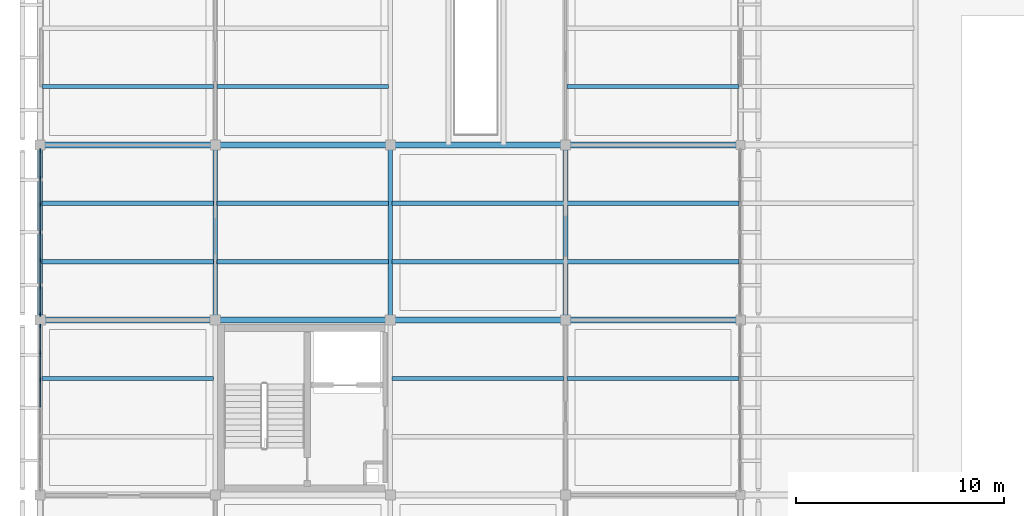
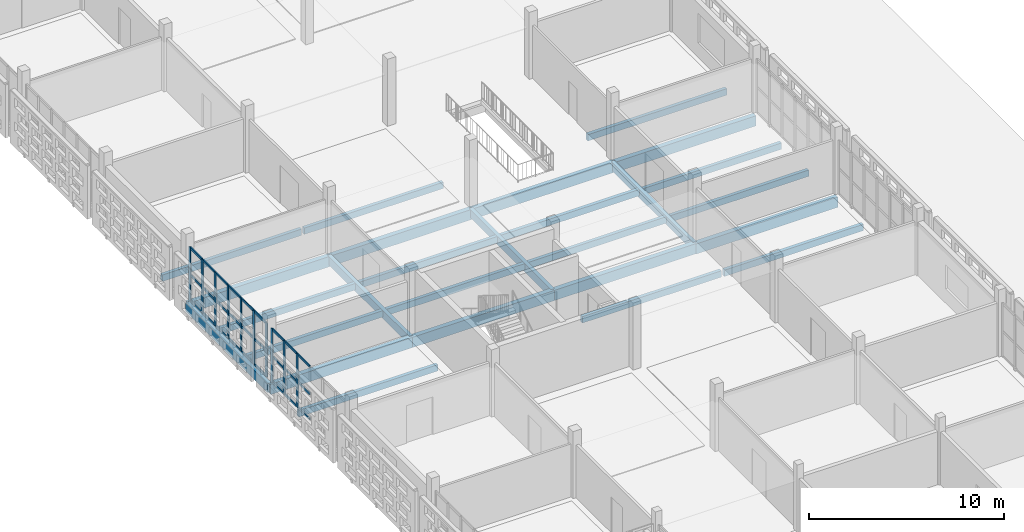
# One storey, part 31 of 166: 37 members, 26 beams, 2 elements without a shape of their own.
"""IFC4 building model written with IfcOpenShell, lengths in metres."""

from ifc_helpers import new_model, si_unit, direction, frame, origin, origin_2d, place, context, subcontext, project, spatial, rectangle, extrude, material, layer, layer_set, material_profile, profile_set, type_object, element, aggregate, save


model = new_model("IFC4")

# Units and contexts
model_context = context("Model", 3, precision=1e-05, world=origin(), true_north=direction((0.0, 1.0)))
body_context = subcontext(model_context, "Body", "Model", "MODEL_VIEW")
ifc_project = project(units=[si_unit("LENGTHUNIT", "METRE"), si_unit("AREAUNIT", "SQUARE_METRE"), si_unit("VOLUMEUNIT", "CUBIC_METRE"), si_unit("PLANEANGLEUNIT", "RADIAN"), si_unit("MASSUNIT", "GRAM", prefix="KILO")], contexts=[model_context])

# Site, building, storey
site_placement = place(None, origin())
site = spatial("IfcSite", under=ifc_project, at=site_placement, CompositionType="ELEMENT")
building_placement = place(site_placement, origin())
building = spatial("IfcBuilding", under=site, at=building_placement, Name="Varnapada Polytechnic", CompositionType="ELEMENT")
storey_placement = place(building_placement, frame((0.0, 0.0, 9.60009765625)))
storey = spatial("IfcBuildingStorey", under=building, at=storey_placement, Name="L02", CompositionType="ELEMENT", Elevation=9.60009765625)

# Beams
ifc_material_1 = material(Name="Glulam GL32h", Category="wood")
ifc_material_profile_1 = material_profile(ifc_material_1, rectangle(XDim=0.280029296875, YDim=0.639892578125, at=origin_2d()), Name="GL 280x640")
ifc_profile_set_1 = profile_set([ifc_material_profile_1], Name="Glulam GL32h")
beam_type_1 = type_object("IfcBeamType", Name="Laboratory primary glulam girder GG-02 (GL 280x640)", PredefinedType="BEAM", material=ifc_profile_set_1)
for number, where, z_axis, x_axis, name in (
    (1, (0.0, 67.199951171875, -0.56005859375), (1.0, 0.0, 0.0), (0.0, 1.0, 0.0), "L02 beam X 1-2 at Y9"),
    (2, (0.0, 75.60009765625, -0.56005859375), (1.0, 0.0, 0.0), (0.0, 1.0, 0.0), "L02 beam X 1-2 at Y10"),
):
    element("IfcBeam", number, at=place(storey_placement, frame(where, z_axis=z_axis, x_axis=x_axis)), inside=storey, type_object=beam_type_1, Name=name, PredefinedType="BEAM", context=body_context, shape_type="SweptSolid", body=[
        extrude(rectangle(XDim=0.280029296875, YDim=0.639892578125, at=origin_2d()), origin(), (0.0, 0.0, 1.0), 8.39990234375),
    ])
for number, where, z_axis, x_axis, name in (
    (3, (8.39990234375, 67.199951171875, -0.56005859375), (1.0, 0.0, 0.0), (0.0, 1.0, 0.0), "L02 beam X 2-3 at Y9"),
    (4, (8.39990234375, 75.60009765625, -0.56005859375), (1.0, 0.0, 0.0), (0.0, 1.0, 0.0), "L02 beam X 2-3 at Y10"),
):
    element("IfcBeam", number, at=place(storey_placement, frame(where, z_axis=z_axis, x_axis=x_axis)), inside=storey, type_object=beam_type_1, Name=name, PredefinedType="BEAM", context=body_context, shape_type="SweptSolid", body=[
        extrude(rectangle(XDim=0.280029296875, YDim=0.639892578125, at=origin_2d()), origin(), (0.0, 0.0, 1.0), 8.400146484375),
    ])
for number, where, z_axis, x_axis, name in (
    (5, (16.800048828125, 67.199951171875, -0.56005859375), (1.0, 0.0, 0.0), (0.0, 1.0, 0.0), "L02 beam X 3-4 at Y9"),
    (6, (16.800048828125, 75.60009765625, -0.56005859375), (1.0, 0.0, 0.0), (0.0, 1.0, 0.0), "L02 beam X 3-4 at Y10"),
):
    element("IfcBeam", number, at=place(storey_placement, frame(where, z_axis=z_axis, x_axis=x_axis)), inside=storey, type_object=beam_type_1, Name=name, PredefinedType="BEAM", context=body_context, shape_type="SweptSolid", body=[
        extrude(rectangle(XDim=0.280029296875, YDim=0.639892578125, at=origin_2d()), origin(), (0.0, 0.0, 1.0), 8.39990234375),
    ])
for number, where, z_axis, x_axis, name in (
    (7, (25.199951171875, 67.199951171875, -0.590087890625), (1.0, 0.0, 0.0), (0.0, 1.0, 0.0), "L02 beam X 4-5 at Y9"),
    (8, (25.199951171875, 75.60009765625, -0.590087890625), (1.0, 0.0, 0.0), (0.0, 1.0, 0.0), "L02 beam X 4-5 at Y10"),
):
    element("IfcBeam", number, at=place(storey_placement, frame(where, z_axis=z_axis, x_axis=x_axis)), inside=storey, type_object=beam_type_1, Name=name, PredefinedType="BEAM", context=body_context, shape_type="SweptSolid", body=[
        extrude(rectangle(XDim=0.280029296875, YDim=0.639892578125, at=origin_2d()), origin(), (0.0, 0.0, 1.0), 8.400146484375),
    ])
ifc_material_profile_2 = material_profile(ifc_material_1, rectangle(XDim=0.219970703125, YDim=0.52001953125, at=origin_2d()), Name="GL 220x520")
ifc_profile_set_2 = profile_set([ifc_material_profile_2], Name="Glulam GL32h")
beam_type_2 = type_object("IfcBeamType", Name="Laboratory transverse glulam beam GB-12 (GL 220x520)", PredefinedType="BEAM", material=ifc_profile_set_2)
for number, where, z_axis, x_axis, name in (
    (9, (8.39990234375, 67.199951171875, -0.5), (0.0, 1.0, 0.0), (-1.0, 0.0, 0.0), "L02 beam Y 9-10 at X2"),
    (10, (16.800048828125, 67.199951171875, -0.5), (0.0, 1.0, 0.0), (-1.0, 0.0, 0.0), "L02 beam Y 9-10 at X3"),
    (11, (25.199951171875, 67.199951171875, -0.5), (0.0, 1.0, 0.0), (-1.0, 0.0, 0.0), "L02 beam Y 9-10 at X4"),
):
    element("IfcBeam", number, at=place(storey_placement, frame(where, z_axis=z_axis, x_axis=x_axis)), inside=storey, type_object=beam_type_2, Name=name, PredefinedType="BEAM", context=body_context, shape_type="SweptSolid", body=[
        extrude(rectangle(XDim=0.219970703125, YDim=0.52001953125, at=origin_2d()), origin(), (0.0, 0.0, 1.0), 8.400146484375),
    ])
ifc_material_profile_3 = material_profile(ifc_material_1, rectangle(XDim=0.199951171875, YDim=0.39990234375, at=origin_2d()), Name="GL 200x400")
ifc_profile_set_3 = profile_set([ifc_material_profile_3], Name="Glulam GL32h")
beam_type_3 = type_object("IfcBeamType", Name="Library/laboratory glulam floor joist GJ-01 (GL 200x400)", PredefinedType="JOIST", material=ifc_profile_set_3)
for number, where, z_axis, x_axis, name in (
    (12, (0.080078125, 64.39990234375, -0.440185546875), (1.0, 0.0, 0.0), (0.0, 1.0, 0.0), "L02 floor joist 1/8.2"),
    (13, (0.080078125, 70.0, -0.440185546875), (1.0, 0.0, 0.0), (0.0, 1.0, 0.0), "L02 floor joist 1/9.1"),
    (14, (0.080078125, 72.800048828125, -0.440185546875), (1.0, 0.0, 0.0), (0.0, 1.0, 0.0), "L02 floor joist 1/9.2"),
    (15, (0.080078125, 78.39990234375, -0.440185546875), (1.0, 0.0, 0.0), (0.0, 1.0, 0.0), "L02 floor joist 1/10.1"),
    (16, (8.47998046875, 70.0, -0.440185546875), (1.0, 0.0, 0.0), (0.0, 1.0, 0.0), "L02 floor joist 2/9.1"),
    (17, (8.47998046875, 72.800048828125, -0.440185546875), (1.0, 0.0, 0.0), (0.0, 1.0, 0.0), "L02 floor joist 2/9.2"),
    (18, (8.47998046875, 78.39990234375, -0.440185546875), (1.0, 0.0, 0.0), (0.0, 1.0, 0.0), "L02 floor joist 2/10.1"),
):
    element("IfcBeam", number, at=place(storey_placement, frame(where, z_axis=z_axis, x_axis=x_axis)), inside=storey, type_object=beam_type_3, Name=name, PredefinedType="JOIST", context=body_context, shape_type="SweptSolid", body=[
        extrude(rectangle(XDim=0.199951171875, YDim=0.39990234375, at=origin_2d()), origin(), (0.0, 0.0, 1.0), 8.239990234375),
    ])
for number, where, z_axis, x_axis, name in (
    (19, (16.8798828125, 64.39990234375, -0.440185546875), (1.0, 0.0, 0.0), (0.0, 1.0, 0.0), "L02 floor joist 3/8.2"),
    (20, (16.8798828125, 70.0, -0.440185546875), (1.0, 0.0, 0.0), (0.0, 1.0, 0.0), "L02 floor joist 3/9.1"),
    (21, (16.8798828125, 72.800048828125, -0.440185546875), (1.0, 0.0, 0.0), (0.0, 1.0, 0.0), "L02 floor joist 3/9.2"),
):
    element("IfcBeam", number, at=place(storey_placement, frame(where, z_axis=z_axis, x_axis=x_axis)), inside=storey, type_object=beam_type_3, Name=name, PredefinedType="JOIST", context=body_context, shape_type="SweptSolid", body=[
        extrude(rectangle(XDim=0.199951171875, YDim=0.39990234375, at=origin_2d()), origin(), (0.0, 0.0, 1.0), 8.240234375),
    ])
for number, where, z_axis, x_axis, name in (
    (22, (25.280029296875, 64.39990234375, -0.47021484375), (1.0, 0.0, 0.0), (0.0, 1.0, 0.0), "L02 floor joist 4/8.2"),
    (23, (25.280029296875, 70.0, -0.47021484375), (1.0, 0.0, 0.0), (0.0, 1.0, 0.0), "L02 floor joist 4/9.1"),
    (24, (25.280029296875, 72.800048828125, -0.47021484375), (1.0, 0.0, 0.0), (0.0, 1.0, 0.0), "L02 floor joist 4/9.2"),
    (25, (25.280029296875, 78.39990234375, -0.47021484375), (1.0, 0.0, 0.0), (0.0, 1.0, 0.0), "L02 floor joist 4/10.1"),
):
    element("IfcBeam", number, at=place(storey_placement, frame(where, z_axis=z_axis, x_axis=x_axis)), inside=storey, type_object=beam_type_3, Name=name, PredefinedType="JOIST", context=body_context, shape_type="SweptSolid", body=[
        extrude(rectangle(XDim=0.199951171875, YDim=0.39990234375, at=origin_2d()), origin(), (0.0, 0.0, 1.0), 8.239990234375),
    ])

# Curtain wall, members
ifc_material_2 = material(Name="Double low-E laminated glass", Category="glass")
ifc_layer = layer(ifc_material_2, 0.179931640625)
ifc_layer_set = layer_set([ifc_layer], Name="Double low-E laminated glass")
curtain_wall_type = type_object("IfcCurtainWallType", Name="Curtain Wall CW-03", PredefinedType="NOTDEFINED", material=ifc_layer_set)
curtain_wall_1_placement = place(storey_placement, origin())
curtain_wall_1 = element("IfcCurtainWall", 26, at=curtain_wall_1_placement, inside=storey, type_object=curtain_wall_type, Name="L02 unitised curtain wall CW-03 (130)", PredefinedType="NOTDEFINED")
ifc_material_3 = material(Name="Anodised aluminium", Category="aluminium")
ifc_material_profile_4 = material_profile(ifc_material_3, rectangle(XDim=0.06494140625, YDim=0.179931640625, at=origin_2d()), Name="ALU M65x180")
ifc_profile_set_4 = profile_set([ifc_material_profile_4], Name="Anodised aluminium")
member_type_1 = type_object("IfcMemberType", Name="Mullion M-02", PredefinedType="MULLION", material=ifc_profile_set_4)
member_1_placement = place(storey_placement, frame((0.0, 64.313232421875, 0.0), z_axis=(0.0, 0.0, 1.0), x_axis=(-1.0, 0.0, 0.0)))
member_1 = element("IfcMember", 27, at=member_1_placement, type_object=member_type_1, Name="CW-03 mullion 5", PredefinedType="MULLION", context=body_context, shape_type="SweptSolid", body=[
    extrude(rectangle(XDim=0.06494140625, YDim=0.179931640625, at=origin_2d()), origin(), (0.0, 0.0, 1.0), 3.35986328125),
])
member_2_placement = place(storey_placement, frame((0.0, 65.631591796875, 0.0), z_axis=(0.0, 0.0, 1.0), x_axis=(-1.0, 0.0, 0.0)))
member_2 = element("IfcMember", 28, at=member_2_placement, type_object=member_type_1, Name="CW-03 mullion 6", PredefinedType="MULLION", context=body_context, shape_type="SweptSolid", body=[
    extrude(rectangle(XDim=0.06494140625, YDim=0.179931640625, at=origin_2d()), origin(), (0.0, 0.0, 1.0), 3.35986328125),
])
member_3_placement = place(storey_placement, frame((0.0, 66.91748046875, 0.0), z_axis=(0.0, 0.0, 1.0), x_axis=(-1.0, 0.0, 0.0)))
member_3 = element("IfcMember", 29, at=member_3_placement, type_object=member_type_1, Name="CW-03 mullion 7", PredefinedType="MULLION", context=body_context, shape_type="SweptSolid", body=[
    extrude(rectangle(XDim=0.06494140625, YDim=0.179931640625, at=origin_2d()), origin(), (0.0, 0.0, 1.0), 3.35986328125),
])

curtain_wall_2_placement = place(storey_placement, origin())
curtain_wall_2 = element("IfcCurtainWall", 30, at=curtain_wall_2_placement, inside=storey, type_object=curtain_wall_type, Name="L02 unitised curtain wall CW-03 (131)", PredefinedType="NOTDEFINED")
member_4_placement = place(storey_placement, frame((0.0, 67.482421875, 0.0), z_axis=(0.0, 0.0, 1.0), x_axis=(-1.0, 0.0, 0.0)))
member_4 = element("IfcMember", 31, at=member_4_placement, type_object=member_type_1, Name="CW-03 mullion 1", PredefinedType="MULLION", context=body_context, shape_type="SweptSolid", body=[
    extrude(rectangle(XDim=0.06494140625, YDim=0.179931640625, at=origin_2d()), origin(), (0.0, 0.0, 1.0), 3.35986328125),
])
member_5_placement = place(storey_placement, frame((0.0, 68.768310546875, 0.0), z_axis=(0.0, 0.0, 1.0), x_axis=(-1.0, 0.0, 0.0)))
member_5 = element("IfcMember", 32, at=member_5_placement, type_object=member_type_1, Name="CW-03 mullion 2", PredefinedType="MULLION", context=body_context, shape_type="SweptSolid", body=[
    extrude(rectangle(XDim=0.06494140625, YDim=0.179931640625, at=origin_2d()), origin(), (0.0, 0.0, 1.0), 3.35986328125),
])
member_6_placement = place(storey_placement, frame((0.0, 70.086669921875, 0.0), z_axis=(0.0, 0.0, 1.0), x_axis=(-1.0, 0.0, 0.0)))
member_6 = element("IfcMember", 33, at=member_6_placement, type_object=member_type_1, Name="CW-03 mullion 3", PredefinedType="MULLION", context=body_context, shape_type="SweptSolid", body=[
    extrude(rectangle(XDim=0.06494140625, YDim=0.179931640625, at=origin_2d()), origin(), (0.0, 0.0, 1.0), 3.35986328125),
])
member_7_placement = place(storey_placement, frame((0.0, 71.405029296875, 0.0), z_axis=(0.0, 0.0, 1.0), x_axis=(-1.0, 0.0, 0.0)))
member_7 = element("IfcMember", 34, at=member_7_placement, type_object=member_type_1, Name="CW-03 mullion 4", PredefinedType="MULLION", context=body_context, shape_type="SweptSolid", body=[
    extrude(rectangle(XDim=0.06494140625, YDim=0.179931640625, at=origin_2d()), origin(), (0.0, 0.0, 1.0), 3.35986328125),
])
member_8_placement = place(storey_placement, frame((0.0, 72.723388671875, 0.0), z_axis=(0.0, 0.0, 1.0), x_axis=(-1.0, 0.0, 0.0)))
member_8 = element("IfcMember", 35, at=member_8_placement, type_object=member_type_1, Name="CW-03 mullion 5", PredefinedType="MULLION", context=body_context, shape_type="SweptSolid", body=[
    extrude(rectangle(XDim=0.06494140625, YDim=0.179931640625, at=origin_2d()), origin(), (0.0, 0.0, 1.0), 3.35986328125),
])
member_9_placement = place(storey_placement, frame((0.0, 74.041748046875, 0.0), z_axis=(0.0, 0.0, 1.0), x_axis=(-1.0, 0.0, 0.0)))
member_9 = element("IfcMember", 36, at=member_9_placement, type_object=member_type_1, Name="CW-03 mullion 6", PredefinedType="MULLION", context=body_context, shape_type="SweptSolid", body=[
    extrude(rectangle(XDim=0.06494140625, YDim=0.179931640625, at=origin_2d()), origin(), (0.0, 0.0, 1.0), 3.35986328125),
])
member_10_placement = place(storey_placement, frame((0.0, 75.327392578125, 0.0), z_axis=(0.0, 0.0, 1.0), x_axis=(-1.0, 0.0, 0.0)))
member_10 = element("IfcMember", 37, at=member_10_placement, type_object=member_type_1, Name="CW-03 mullion 7", PredefinedType="MULLION", context=body_context, shape_type="SweptSolid", body=[
    extrude(rectangle(XDim=0.06494140625, YDim=0.179931640625, at=origin_2d()), origin(), (0.0, 0.0, 1.0), 3.35986328125),
])

# Beam
ifc_material_profile_5 = material_profile(ifc_material_1, rectangle(XDim=0.239990234375, YDim=0.56005859375, at=origin_2d()), Name="GL 240x560")
ifc_profile_set_5 = profile_set([ifc_material_profile_5], Name="Glulam GL32h")
beam_type_4 = type_object("IfcBeamType", Name="Perimeter glulam spandrel beam SP-02 (GL 240x560)", PredefinedType="SPANDREL", material=ifc_profile_set_5)
beam_placement = place(storey_placement, frame((0.0, 67.199951171875, -0.52001953125), z_axis=(0.0, 1.0, 0.0), x_axis=(-1.0, 0.0, 0.0)))
element("IfcBeam", 38, at=beam_placement, inside=storey, type_object=beam_type_4, Name="L02 beam Y 9-10 at X1", PredefinedType="SPANDREL", context=body_context, shape_type="SweptSolid", body=[
    extrude(rectangle(XDim=0.239990234375, YDim=0.56005859375, at=origin_2d()), origin(), (0.0, 0.0, 1.0), 8.400146484375),
])

# Member
ifc_material_profile_6 = material_profile(ifc_material_3, rectangle(XDim=0.06494140625, YDim=0.139892578125, at=origin_2d()), Name="ALU T65x140")
ifc_profile_set_6 = profile_set([ifc_material_profile_6], Name="Anodised aluminium")
member_type_2 = type_object("IfcMemberType", Name="Transom T-02", PredefinedType="USERDEFINED", material=ifc_profile_set_6)
member_11_placement = place(storey_placement, frame((0.0, 63.027587890625, 0.032470703125), z_axis=(0.0, 1.0, 0.0), x_axis=(-1.0, 0.0, 0.0)))
member_11 = element("IfcMember", 39, at=member_11_placement, type_object=member_type_2, Name="CW-03 transom 4.1", ObjectType="TRANSOM", PredefinedType="USERDEFINED", context=body_context, shape_type="SweptSolid", body=[
    extrude(rectangle(XDim=0.06494140625, YDim=0.139892578125, at=origin_2d()), origin(), (0.0, 0.0, 1.0), 1.253173828125),
])

member_12_placement = place(storey_placement, frame((0.0, 63.027587890625, 1.61279296875), z_axis=(0.0, 1.0, 0.0), x_axis=(-1.0, 0.0, 0.0)))
member_12 = element("IfcMember", 40, at=member_12_placement, type_object=member_type_2, Name="CW-03 transom 4.2", ObjectType="TRANSOM", PredefinedType="USERDEFINED", context=body_context, shape_type="SweptSolid", body=[
    extrude(rectangle(XDim=0.06494140625, YDim=0.139892578125, at=origin_2d()), origin(), (0.0, 0.0, 1.0), 1.253173828125),
])

member_13_placement = place(storey_placement, frame((0.0, 63.027587890625, 3.327392578125), z_axis=(0.0, 1.0, 0.0), x_axis=(-1.0, 0.0, 0.0)))
member_13 = element("IfcMember", 41, at=member_13_placement, type_object=member_type_2, Name="CW-03 transom 4.3", ObjectType="TRANSOM", PredefinedType="USERDEFINED", context=body_context, shape_type="SweptSolid", body=[
    extrude(rectangle(XDim=0.06494140625, YDim=0.139892578125, at=origin_2d()), origin(), (0.0, 0.0, 1.0), 1.253173828125),
])

member_14_placement = place(storey_placement, frame((0.0, 64.345947265625, 0.032470703125), z_axis=(0.0, 1.0, 0.0), x_axis=(-1.0, 0.0, 0.0)))
member_14 = element("IfcMember", 42, at=member_14_placement, type_object=member_type_2, Name="CW-03 transom 5.1", ObjectType="TRANSOM", PredefinedType="USERDEFINED", context=body_context, shape_type="SweptSolid", body=[
    extrude(rectangle(XDim=0.06494140625, YDim=0.139892578125, at=origin_2d()), origin(), (0.0, 0.0, 1.0), 1.253173828125),
])

member_15_placement = place(storey_placement, frame((0.0, 64.345947265625, 1.61279296875), z_axis=(0.0, 1.0, 0.0), x_axis=(-1.0, 0.0, 0.0)))
member_15 = element("IfcMember", 43, at=member_15_placement, type_object=member_type_2, Name="CW-03 transom 5.2", ObjectType="TRANSOM", PredefinedType="USERDEFINED", context=body_context, shape_type="SweptSolid", body=[
    extrude(rectangle(XDim=0.06494140625, YDim=0.139892578125, at=origin_2d()), origin(), (0.0, 0.0, 1.0), 1.253173828125),
])

member_16_placement = place(storey_placement, frame((0.0, 64.345947265625, 3.327392578125), z_axis=(0.0, 1.0, 0.0), x_axis=(-1.0, 0.0, 0.0)))
member_16 = element("IfcMember", 44, at=member_16_placement, type_object=member_type_2, Name="CW-03 transom 5.3", ObjectType="TRANSOM", PredefinedType="USERDEFINED", context=body_context, shape_type="SweptSolid", body=[
    extrude(rectangle(XDim=0.06494140625, YDim=0.139892578125, at=origin_2d()), origin(), (0.0, 0.0, 1.0), 1.253173828125),
])

member_17_placement = place(storey_placement, frame((0.0, 65.6640625, 0.032470703125), z_axis=(0.0, 1.0, 0.0), x_axis=(-1.0, 0.0, 0.0)))
member_17 = element("IfcMember", 45, at=member_17_placement, type_object=member_type_2, Name="CW-03 transom 6.1", ObjectType="TRANSOM", PredefinedType="USERDEFINED", context=body_context, shape_type="SweptSolid", body=[
    extrude(rectangle(XDim=0.06494140625, YDim=0.139892578125, at=origin_2d()), origin(), (0.0, 0.0, 1.0), 1.220947265625),
])

member_18_placement = place(storey_placement, frame((0.0, 65.6640625, 1.61279296875), z_axis=(0.0, 1.0, 0.0), x_axis=(-1.0, 0.0, 0.0)))
member_18 = element("IfcMember", 46, at=member_18_placement, type_object=member_type_2, Name="CW-03 transom 6.2", ObjectType="TRANSOM", PredefinedType="USERDEFINED", context=body_context, shape_type="SweptSolid", body=[
    extrude(rectangle(XDim=0.06494140625, YDim=0.139892578125, at=origin_2d()), origin(), (0.0, 0.0, 1.0), 1.220947265625),
])

member_19_placement = place(storey_placement, frame((0.0, 65.6640625, 3.327392578125), z_axis=(0.0, 1.0, 0.0), x_axis=(-1.0, 0.0, 0.0)))
member_19 = element("IfcMember", 47, at=member_19_placement, type_object=member_type_2, Name="CW-03 transom 6.3", ObjectType="TRANSOM", PredefinedType="USERDEFINED", context=body_context, shape_type="SweptSolid", body=[
    extrude(rectangle(XDim=0.06494140625, YDim=0.139892578125, at=origin_2d()), origin(), (0.0, 0.0, 1.0), 1.220947265625),
])

aggregate(curtain_wall_1, [member_1, member_2, member_3, member_11, member_12, member_13, member_14, member_15, member_16, member_17, member_18, member_19])

member_20_placement = place(storey_placement, frame((0.0, 67.514892578125, 0.032470703125), z_axis=(0.0, 1.0, 0.0), x_axis=(-1.0, 0.0, 0.0)))
member_20 = element("IfcMember", 48, at=member_20_placement, type_object=member_type_2, Name="CW-03 transom 1.1", ObjectType="TRANSOM", PredefinedType="USERDEFINED", context=body_context, shape_type="SweptSolid", body=[
    extrude(rectangle(XDim=0.06494140625, YDim=0.139892578125, at=origin_2d()), origin(), (0.0, 0.0, 1.0), 1.220947265625),
])

member_21_placement = place(storey_placement, frame((0.0, 67.514892578125, 1.61279296875), z_axis=(0.0, 1.0, 0.0), x_axis=(-1.0, 0.0, 0.0)))
member_21 = element("IfcMember", 49, at=member_21_placement, type_object=member_type_2, Name="CW-03 transom 1.2", ObjectType="TRANSOM", PredefinedType="USERDEFINED", context=body_context, shape_type="SweptSolid", body=[
    extrude(rectangle(XDim=0.06494140625, YDim=0.139892578125, at=origin_2d()), origin(), (0.0, 0.0, 1.0), 1.220947265625),
])

member_22_placement = place(storey_placement, frame((0.0, 67.514892578125, 3.327392578125), z_axis=(0.0, 1.0, 0.0), x_axis=(-1.0, 0.0, 0.0)))
member_22 = element("IfcMember", 50, at=member_22_placement, type_object=member_type_2, Name="CW-03 transom 1.3", ObjectType="TRANSOM", PredefinedType="USERDEFINED", context=body_context, shape_type="SweptSolid", body=[
    extrude(rectangle(XDim=0.06494140625, YDim=0.139892578125, at=origin_2d()), origin(), (0.0, 0.0, 1.0), 1.220947265625),
])

member_23_placement = place(storey_placement, frame((0.0, 68.80078125, 0.032470703125), z_axis=(0.0, 1.0, 0.0), x_axis=(-1.0, 0.0, 0.0)))
member_23 = element("IfcMember", 51, at=member_23_placement, type_object=member_type_2, Name="CW-03 transom 2.1", ObjectType="TRANSOM", PredefinedType="USERDEFINED", context=body_context, shape_type="SweptSolid", body=[
    extrude(rectangle(XDim=0.06494140625, YDim=0.139892578125, at=origin_2d()), origin(), (0.0, 0.0, 1.0), 1.25341796875),
])

member_24_placement = place(storey_placement, frame((0.0, 68.80078125, 1.61279296875), z_axis=(0.0, 1.0, 0.0), x_axis=(-1.0, 0.0, 0.0)))
member_24 = element("IfcMember", 52, at=member_24_placement, type_object=member_type_2, Name="CW-03 transom 2.2", ObjectType="TRANSOM", PredefinedType="USERDEFINED", context=body_context, shape_type="SweptSolid", body=[
    extrude(rectangle(XDim=0.06494140625, YDim=0.139892578125, at=origin_2d()), origin(), (0.0, 0.0, 1.0), 1.25341796875),
])

member_25_placement = place(storey_placement, frame((0.0, 68.80078125, 3.327392578125), z_axis=(0.0, 1.0, 0.0), x_axis=(-1.0, 0.0, 0.0)))
member_25 = element("IfcMember", 53, at=member_25_placement, type_object=member_type_2, Name="CW-03 transom 2.3", ObjectType="TRANSOM", PredefinedType="USERDEFINED", context=body_context, shape_type="SweptSolid", body=[
    extrude(rectangle(XDim=0.06494140625, YDim=0.139892578125, at=origin_2d()), origin(), (0.0, 0.0, 1.0), 1.25341796875),
])

member_26_placement = place(storey_placement, frame((0.0, 70.119140625, 0.032470703125), z_axis=(0.0, 1.0, 0.0), x_axis=(-1.0, 0.0, 0.0)))
member_26 = element("IfcMember", 54, at=member_26_placement, type_object=member_type_2, Name="CW-03 transom 3.1", ObjectType="TRANSOM", PredefinedType="USERDEFINED", context=body_context, shape_type="SweptSolid", body=[
    extrude(rectangle(XDim=0.06494140625, YDim=0.139892578125, at=origin_2d()), origin(), (0.0, 0.0, 1.0), 1.25341796875),
])

member_27_placement = place(storey_placement, frame((0.0, 70.119140625, 1.61279296875), z_axis=(0.0, 1.0, 0.0), x_axis=(-1.0, 0.0, 0.0)))
member_27 = element("IfcMember", 55, at=member_27_placement, type_object=member_type_2, Name="CW-03 transom 3.2", ObjectType="TRANSOM", PredefinedType="USERDEFINED", context=body_context, shape_type="SweptSolid", body=[
    extrude(rectangle(XDim=0.06494140625, YDim=0.139892578125, at=origin_2d()), origin(), (0.0, 0.0, 1.0), 1.25341796875),
])

member_28_placement = place(storey_placement, frame((0.0, 70.119140625, 3.327392578125), z_axis=(0.0, 1.0, 0.0), x_axis=(-1.0, 0.0, 0.0)))
member_28 = element("IfcMember", 56, at=member_28_placement, type_object=member_type_2, Name="CW-03 transom 3.3", ObjectType="TRANSOM", PredefinedType="USERDEFINED", context=body_context, shape_type="SweptSolid", body=[
    extrude(rectangle(XDim=0.06494140625, YDim=0.139892578125, at=origin_2d()), origin(), (0.0, 0.0, 1.0), 1.25341796875),
])

member_29_placement = place(storey_placement, frame((0.0, 71.4375, 0.032470703125), z_axis=(0.0, 1.0, 0.0), x_axis=(-1.0, 0.0, 0.0)))
member_29 = element("IfcMember", 57, at=member_29_placement, type_object=member_type_2, Name="CW-03 transom 4.1", ObjectType="TRANSOM", PredefinedType="USERDEFINED", context=body_context, shape_type="SweptSolid", body=[
    extrude(rectangle(XDim=0.06494140625, YDim=0.139892578125, at=origin_2d()), origin(), (0.0, 0.0, 1.0), 1.25341796875),
])

member_30_placement = place(storey_placement, frame((0.0, 71.4375, 1.61279296875), z_axis=(0.0, 1.0, 0.0), x_axis=(-1.0, 0.0, 0.0)))
member_30 = element("IfcMember", 58, at=member_30_placement, type_object=member_type_2, Name="CW-03 transom 4.2", ObjectType="TRANSOM", PredefinedType="USERDEFINED", context=body_context, shape_type="SweptSolid", body=[
    extrude(rectangle(XDim=0.06494140625, YDim=0.139892578125, at=origin_2d()), origin(), (0.0, 0.0, 1.0), 1.25341796875),
])

member_31_placement = place(storey_placement, frame((0.0, 71.4375, 3.327392578125), z_axis=(0.0, 1.0, 0.0), x_axis=(-1.0, 0.0, 0.0)))
member_31 = element("IfcMember", 59, at=member_31_placement, type_object=member_type_2, Name="CW-03 transom 4.3", ObjectType="TRANSOM", PredefinedType="USERDEFINED", context=body_context, shape_type="SweptSolid", body=[
    extrude(rectangle(XDim=0.06494140625, YDim=0.139892578125, at=origin_2d()), origin(), (0.0, 0.0, 1.0), 1.25341796875),
])

member_32_placement = place(storey_placement, frame((0.0, 72.755859375, 0.032470703125), z_axis=(0.0, 1.0, 0.0), x_axis=(-1.0, 0.0, 0.0)))
member_32 = element("IfcMember", 60, at=member_32_placement, type_object=member_type_2, Name="CW-03 transom 5.1", ObjectType="TRANSOM", PredefinedType="USERDEFINED", context=body_context, shape_type="SweptSolid", body=[
    extrude(rectangle(XDim=0.06494140625, YDim=0.139892578125, at=origin_2d()), origin(), (0.0, 0.0, 1.0), 1.25341796875),
])

member_33_placement = place(storey_placement, frame((0.0, 72.755859375, 1.61279296875), z_axis=(0.0, 1.0, 0.0), x_axis=(-1.0, 0.0, 0.0)))
member_33 = element("IfcMember", 61, at=member_33_placement, type_object=member_type_2, Name="CW-03 transom 5.2", ObjectType="TRANSOM", PredefinedType="USERDEFINED", context=body_context, shape_type="SweptSolid", body=[
    extrude(rectangle(XDim=0.06494140625, YDim=0.139892578125, at=origin_2d()), origin(), (0.0, 0.0, 1.0), 1.25341796875),
])

member_34_placement = place(storey_placement, frame((0.0, 72.755859375, 3.327392578125), z_axis=(0.0, 1.0, 0.0), x_axis=(-1.0, 0.0, 0.0)))
member_34 = element("IfcMember", 62, at=member_34_placement, type_object=member_type_2, Name="CW-03 transom 5.3", ObjectType="TRANSOM", PredefinedType="USERDEFINED", context=body_context, shape_type="SweptSolid", body=[
    extrude(rectangle(XDim=0.06494140625, YDim=0.139892578125, at=origin_2d()), origin(), (0.0, 0.0, 1.0), 1.25341796875),
])

member_35_placement = place(storey_placement, frame((0.0, 74.07421875, 0.032470703125), z_axis=(0.0, 1.0, 0.0), x_axis=(-1.0, 0.0, 0.0)))
member_35 = element("IfcMember", 63, at=member_35_placement, type_object=member_type_2, Name="CW-03 transom 6.1", ObjectType="TRANSOM", PredefinedType="USERDEFINED", context=body_context, shape_type="SweptSolid", body=[
    extrude(rectangle(XDim=0.06494140625, YDim=0.139892578125, at=origin_2d()), origin(), (0.0, 0.0, 1.0), 1.220703125),
])

member_36_placement = place(storey_placement, frame((0.0, 74.07421875, 1.61279296875), z_axis=(0.0, 1.0, 0.0), x_axis=(-1.0, 0.0, 0.0)))
member_36 = element("IfcMember", 64, at=member_36_placement, type_object=member_type_2, Name="CW-03 transom 6.2", ObjectType="TRANSOM", PredefinedType="USERDEFINED", context=body_context, shape_type="SweptSolid", body=[
    extrude(rectangle(XDim=0.06494140625, YDim=0.139892578125, at=origin_2d()), origin(), (0.0, 0.0, 1.0), 1.220703125),
])

member_37_placement = place(storey_placement, frame((0.0, 74.07421875, 3.327392578125), z_axis=(0.0, 1.0, 0.0), x_axis=(-1.0, 0.0, 0.0)))
member_37 = element("IfcMember", 65, at=member_37_placement, type_object=member_type_2, Name="CW-03 transom 6.3", ObjectType="TRANSOM", PredefinedType="USERDEFINED", context=body_context, shape_type="SweptSolid", body=[
    extrude(rectangle(XDim=0.06494140625, YDim=0.139892578125, at=origin_2d()), origin(), (0.0, 0.0, 1.0), 1.220703125),
])

aggregate(curtain_wall_2, [member_4, member_5, member_6, member_7, member_8, member_9, member_10, member_20, member_21, member_22, member_23, member_24, member_25, member_26, member_27, member_28, member_29, member_30, member_31, member_32, member_33, member_34, member_35, member_36, member_37])

save(model, "model.ifc")
